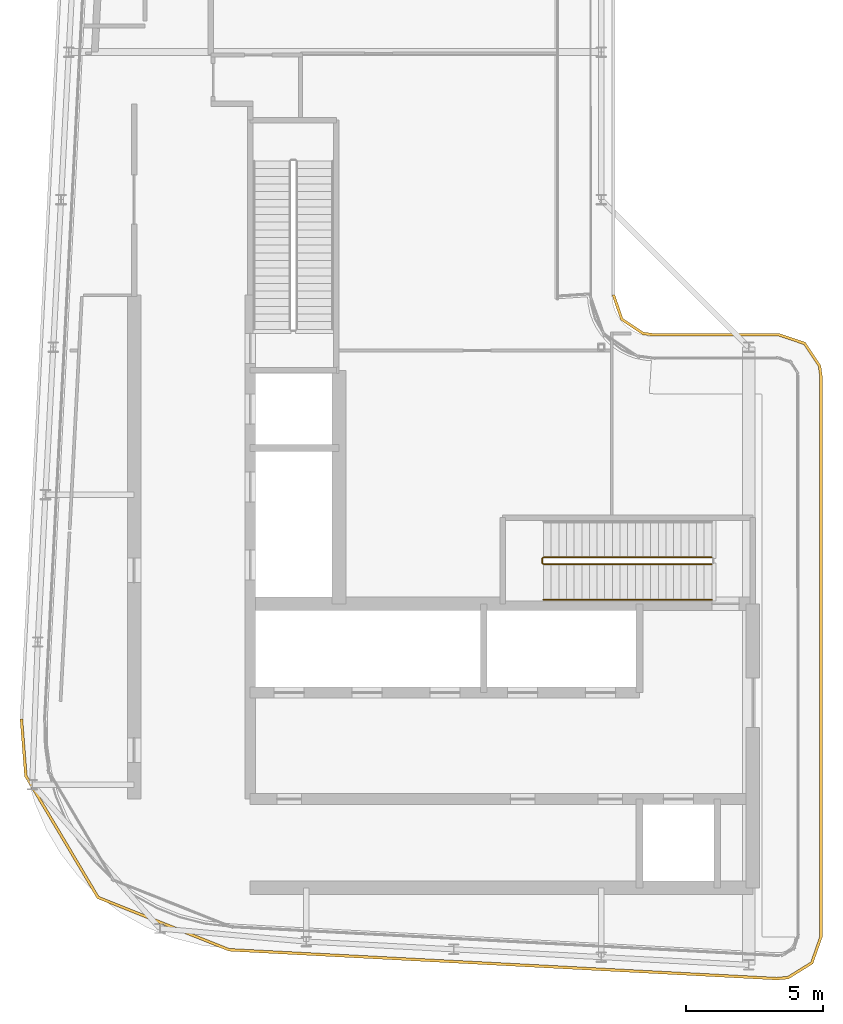
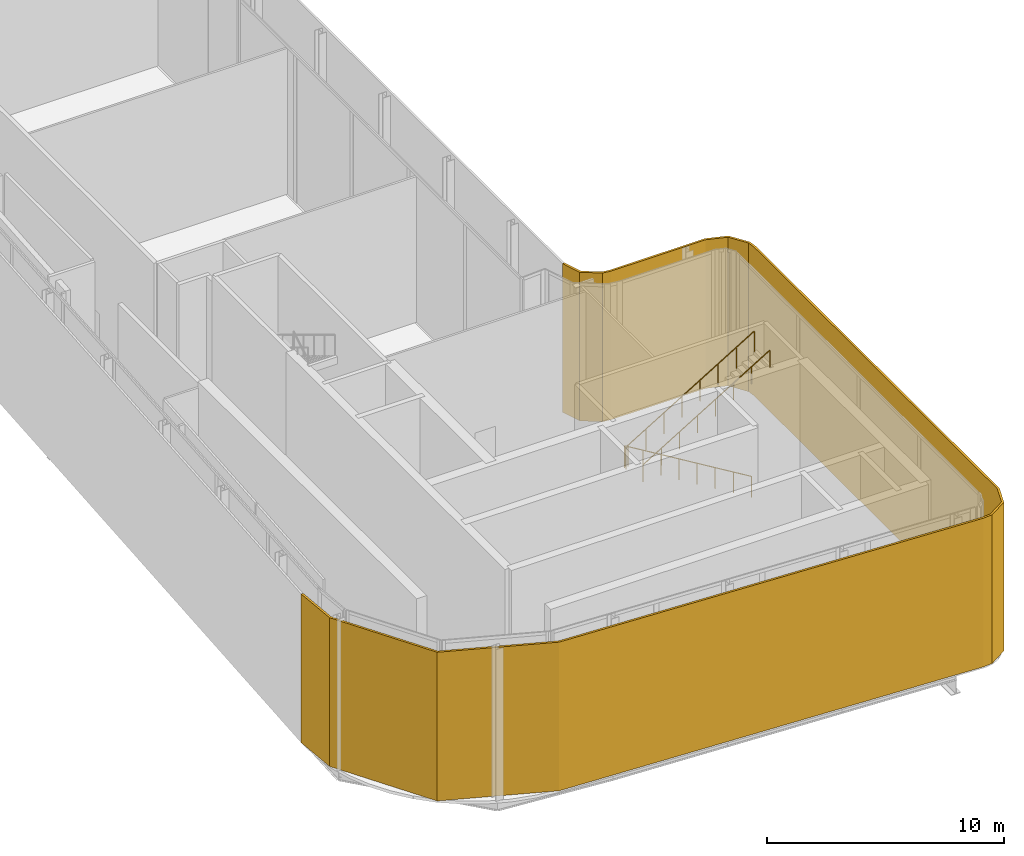
# One storey, part 19 of 23: 2 railings, 1 shading device.
"""IFC4 building model written with IfcOpenShell, lengths in metres."""

from ifc_helpers import new_model, si_unit, direction, frame, origin, origin_2d, place, context, subcontext, project, spatial, polyline, circle, outline, extrude, material, layer, layer_set, type_object, element, save


model = new_model("IFC4")

# Units and contexts
model_context = context("Model", 3, precision=1e-05, world=origin(), true_north=direction((0.0, 1.0)))
body_context = subcontext(model_context, "Body", "Model", "MODEL_VIEW")
ifc_project = project(units=[si_unit("LENGTHUNIT", "METRE"), si_unit("AREAUNIT", "SQUARE_METRE"), si_unit("VOLUMEUNIT", "CUBIC_METRE"), si_unit("PLANEANGLEUNIT", "RADIAN"), si_unit("MASSUNIT", "GRAM", prefix="KILO")], contexts=[model_context])

# Site, building, storey
site_placement = place(None, origin())
site = spatial("IfcSite", under=ifc_project, at=site_placement, CompositionType="ELEMENT")
building_placement = place(site_placement, origin())
building = spatial("IfcBuilding", under=site, at=building_placement, Name="Kheshtan School and Residences Tower", CompositionType="ELEMENT")
storey_placement = place(building_placement, frame((0.0, 0.0, 389.0)))
storey = spatial("IfcBuildingStorey", under=building, at=storey_placement, Name="L92", CompositionType="ELEMENT", Elevation=389.0)

# Shading device
ifc_material_1 = material(Name="Terracotta baguette, extruded ceramic", Category="masonry")
ifc_layer = layer(ifc_material_1, 0.10009765625)
ifc_layer_set = layer_set([ifc_layer], Name="Ledge screen, terracotta baguettes")
shading_device_type = type_object("IfcShadingDeviceType", Name="Ledge screen, terracotta baguettes", PredefinedType="USERDEFINED", material=ifc_layer_set)
shading_device_placement = place(storey_placement, origin())
element("IfcShadingDevice", 1, at=shading_device_placement, inside=storey, type_object=shading_device_type, Name="Screen L92 4", ObjectType="BAGUETTE", PredefinedType="USERDEFINED", context=body_context, shape_type="SweptSolid", body=[
    extrude(outline(polyline([(48.0, 47.5), (48.31005859375, 46.5869140625), (49.112060546875, 46.051025390625), (49.5, 46.0), (54.10009765625, 46.0), (55.012939453125, 45.68994140625), (55.549072265625, 44.887939453125), (55.60009765625, 44.5), (55.60009765625, 24.02294921875), (55.27001953125, 23.083984375), (54.424072265625, 22.55908203125), (54.02099609375, 22.52490234375), (33.989013671875, 23.580078125), (29.2119140625, 25.486083984375), (26.583984375, 29.906982421875), (26.419921875, 31.989013671875), (26.320068359375, 31.98095703125), (26.486083984375, 29.8759765625), (29.14306640625, 25.406005859375), (33.967041015625, 23.48095703125), (54.02294921875, 22.425048828125), (54.4560546875, 22.4609375), (55.35302734375, 23.01806640625), (55.699951171875, 24.006103515625), (55.699951171875, 44.507080078125), (55.64501953125, 44.924072265625), (55.076904296875, 45.77392578125), (54.116943359375, 46.10009765625), (49.507080078125, 46.10009765625), (49.14794921875, 46.14697265625), (48.39404296875, 46.65087890625), (48.094970703125, 47.531982421875), (48.0, 47.5)])), origin(), (0.0, 0.0, 1.0), 7.64990234375),
])

# Railings
ifc_material_2 = material(Name="Stainless steel balustrade", Category="steel")
railing_type_1 = type_object("IfcRailingType", Name="Stair guard 1100", PredefinedType="GUARDRAIL", material=ifc_material_2)
railing_1_placement = place(storey_placement, frame((51.64990234375, 37.89990234375, 0.169677734375)))
element("IfcRailing", 2, at=railing_1_placement, inside=storey, type_object=railing_type_1, Name="L92 ST1 stair guard 1", PredefinedType="GUARDRAIL", context=body_context, shape_type="SweptSolid", body=[
    extrude(circle(Radius=0.02392578125, at=origin_2d()), frame((0.0, 0.0, 1.076171875), z_axis=(-0.855385842406, 0.0, 0.517991371175), x_axis=(0.0, -1.0, 0.0)), (0.0, 0.0, 1.0), 7.201416015625),
    extrude(circle(Radius=0.02392578125, at=origin_2d()), frame((-6.159912109375, 0.0, 4.80615234375), z_axis=(-0.708833529934, -0.705375805398, 0.0), x_axis=(0.705375805398, -0.708833529934, 0.0)), (0.0, 0.0, 1.0), 0.070556640625),
    extrude(circle(Radius=0.02392578125, at=origin_2d()), frame((-6.2099609375, -0.0498046875, 4.80615234375), z_axis=(0.0, -1.0, 0.0), x_axis=(1.0, 0.0, 0.0)), (0.0, 0.0, 1.0), 0.150146484375),
    extrude(circle(Radius=0.02392578125, at=origin_2d()), frame((-6.2099609375, -0.199951171875, 4.80615234375), z_axis=(0.272228512635, -0.272228512635, 0.92292105503), x_axis=(0.707106781187, 0.707106781187, 0.0)), (0.0, 0.0, 1.0), 0.183837890625),
    extrude(circle(Radius=0.02392578125, at=origin_2d()), frame((-6.159912109375, -0.25, 4.97607421875), z_axis=(0.855370820849, 0.0, 0.518016176234), x_axis=(0.0, 1.0, 0.0)), (0.0, 0.0, 1.0), 7.201416015625),
    extrude(circle(Radius=0.02099609375, at=origin_2d()), origin(), (0.0, 0.0, 1.0), 1.052001953125),
    extrude(circle(Radius=0.02099609375, at=origin_2d()), frame((-0.8798828125, 0.0, 0.532958984375)), (0.0, 0.0, 1.0), 1.052001953125),
    extrude(circle(Radius=0.02099609375, at=origin_2d()), frame((-1.760009765625, 0.0, 1.065673828125)), (0.0, 0.0, 1.0), 1.052001953125),
    extrude(circle(Radius=0.02099609375, at=origin_2d()), frame((-2.639892578125, 0.0, 1.5986328125)), (0.0, 0.0, 1.0), 1.052001953125),
    extrude(circle(Radius=0.02099609375, at=origin_2d()), frame((-3.52001953125, 0.0, 2.131591796875)), (0.0, 0.0, 1.0), 1.052001953125),
    extrude(circle(Radius=0.02099609375, at=origin_2d()), frame((-4.39990234375, 0.0, 2.66455078125)), (0.0, 0.0, 1.0), 1.052001953125),
    extrude(circle(Radius=0.02099609375, at=origin_2d()), frame((-5.280029296875, 0.0, 3.197265625)), (0.0, 0.0, 1.0), 1.052001953125),
    extrude(circle(Radius=0.02099609375, at=origin_2d()), frame((-6.159912109375, 0.0, 3.730224609375)), (0.0, 0.0, 1.0), 1.052001953125),
    extrude(circle(Radius=0.02099609375, at=origin_2d()), frame((-6.2099609375, -0.0498046875, 3.730224609375)), (0.0, 0.0, 1.0), 1.052001953125),
    extrude(circle(Radius=0.02099609375, at=origin_2d()), frame((-6.2099609375, -0.199951171875, 3.730224609375)), (0.0, 0.0, 1.0), 1.052001953125),
    extrude(circle(Radius=0.02099609375, at=origin_2d()), frame((-6.159912109375, -0.25, 3.89990234375)), (0.0, 0.0, 1.0), 1.052001953125),
    extrude(circle(Radius=0.02099609375, at=origin_2d()), frame((-5.280029296875, -0.25, 4.432861328125)), (0.0, 0.0, 1.0), 1.052001953125),
    extrude(circle(Radius=0.02099609375, at=origin_2d()), frame((-4.39990234375, -0.25, 4.9658203125)), (0.0, 0.0, 1.0), 1.052001953125),
    extrude(circle(Radius=0.02099609375, at=origin_2d()), frame((-3.52001953125, -0.25, 5.498779296875)), (0.0, 0.0, 1.0), 1.052001953125),
    extrude(circle(Radius=0.02099609375, at=origin_2d()), frame((-2.639892578125, -0.25, 6.031494140625)), (0.0, 0.0, 1.0), 1.052001953125),
    extrude(circle(Radius=0.02099609375, at=origin_2d()), frame((-1.760009765625, -0.25, 6.564453125)), (0.0, 0.0, 1.0), 1.052001953125),
    extrude(circle(Radius=0.02099609375, at=origin_2d()), frame((-0.8798828125, -0.25, 7.097412109375)), (0.0, 0.0, 1.0), 1.052001953125),
    extrude(circle(Radius=0.02099609375, at=origin_2d()), frame((0.0, -0.25, 7.63037109375)), (0.0, 0.0, 1.0), 1.052001953125),
])
ifc_material_3 = material(Name="Stainless steel handrail", Category="steel")
railing_type_2 = type_object("IfcRailingType", Name="Stair handrail 900", PredefinedType="HANDRAIL", material=ifc_material_3)
railing_2_placement = place(storey_placement, frame((45.489990234375, 36.35009765625, 4.069580078125)))
element("IfcRailing", 3, at=railing_2_placement, inside=storey, type_object=railing_type_2, Name="L92 ST1 stair handrail 2", PredefinedType="HANDRAIL", context=body_context, shape_type="SweptSolid", body=[
    extrude(circle(Radius=0.02392578125, at=origin_2d()), frame((0.0, 0.0, 0.8759765625), z_axis=(0.855370820849, 0.0, 0.518016176234), x_axis=(0.0, 1.0, 0.0)), (0.0, 0.0, 1.0), 7.201416015625),
    extrude(circle(Radius=0.02099609375, at=origin_2d()), origin(), (0.0, 0.0, 1.0), 0.851806640625),
    extrude(circle(Radius=0.02099609375, at=origin_2d()), frame((0.8798828125, 0.0, 0.532958984375)), (0.0, 0.0, 1.0), 0.851806640625),
    extrude(circle(Radius=0.02099609375, at=origin_2d()), frame((1.760009765625, 0.0, 1.06591796875)), (0.0, 0.0, 1.0), 0.851806640625),
    extrude(circle(Radius=0.02099609375, at=origin_2d()), frame((2.639892578125, 0.0, 1.598876953125)), (0.0, 0.0, 1.0), 0.851806640625),
    extrude(circle(Radius=0.02099609375, at=origin_2d()), frame((3.52001953125, 0.0, 2.131591796875)), (0.0, 0.0, 1.0), 0.851806640625),
    extrude(circle(Radius=0.02099609375, at=origin_2d()), frame((4.39990234375, 0.0, 2.66455078125)), (0.0, 0.0, 1.0), 0.851806640625),
    extrude(circle(Radius=0.02099609375, at=origin_2d()), frame((5.280029296875, 0.0, 3.197509765625)), (0.0, 0.0, 1.0), 0.851806640625),
    extrude(circle(Radius=0.02099609375, at=origin_2d()), frame((6.159912109375, 0.0, 3.73046875)), (0.0, 0.0, 1.0), 0.851806640625),
])

save(model, "model.ifc")
